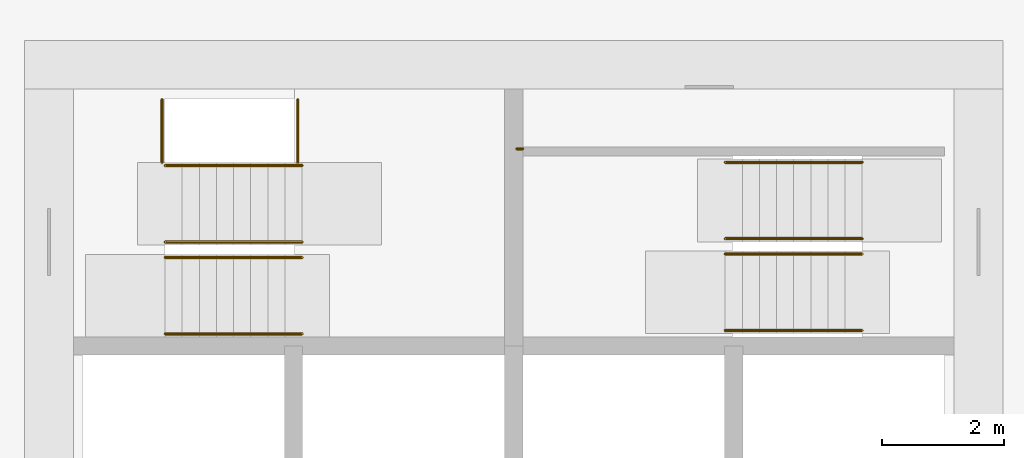
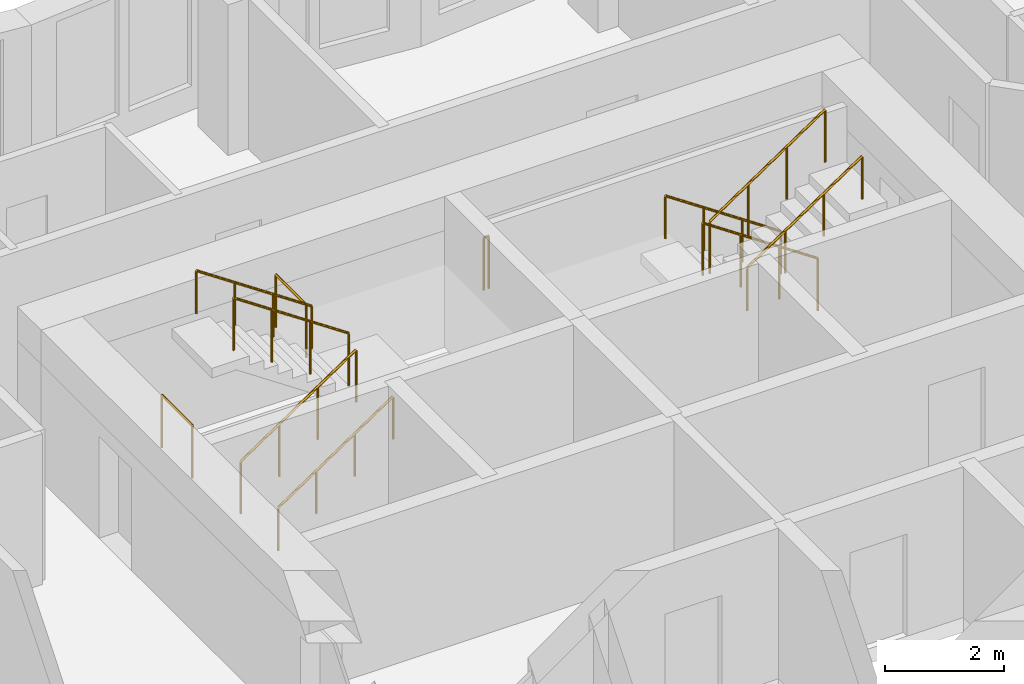
# One storey, part 11 of 12: 11 railings.
"""IFC4 building model written with IfcOpenShell, lengths in metres."""

import ifcopenshell
import ifcopenshell.guid

model = None  # the IFC model being written
_history = None  # IfcOwnerHistory: only IFC2X3 demands one
_inside = {}  # id of a spatial element -> (the spatial element, [elements in it])
_under = {}  # id of a project, library or spatial element -> (it, [spatial elements below it])
_declared = {}  # id of a project -> (the project, [libraries it declares])
_typed = {}  # id of a type object -> (the type object, [elements of that type])
_made_of = {}  # id of a material, layer set ... -> (it, [elements and type objects made of it])


def new_model(schema):
    """Start an empty IFC model of exactly this schema.

    Asked for "IFC4X3", IfcOpenShell would pick the latest addendum, in which some entities
    have other attributes; the version numbers below select the first issue.
    IFC2X3 requires an IfcOwnerHistory on every rooted entity: one is made here for all.
    """
    global model, _history
    if schema == "IFC4X3":
        model = ifcopenshell.file(schema_version=(4, 3, 0, 0))
    else:
        model = ifcopenshell.file(schema=schema)
    _inside.clear()
    _under.clear()
    _declared.clear()
    _typed.clear()
    _made_of.clear()
    _history = None
    if model.schema == "IFC2X3":
        org = make("IfcOrganization", Name="unknown")
        user = make(
            "IfcPersonAndOrganization",
            ThePerson=make("IfcPerson", FamilyName="unknown"),
            TheOrganization=org,
        )
        app = make(
            "IfcApplication",
            ApplicationDeveloper=org,
            Version="unknown",
            ApplicationFullName="unknown",
            ApplicationIdentifier="unknown",
        )
        _history = make(
            "IfcOwnerHistory",
            OwningUser=user,
            OwningApplication=app,
            ChangeAction="ADDED",
            CreationDate=0,
        )
    return model


def make(cls, **values):
    """One entity of the class cls with the attributes given. An attribute that is None is left unset."""
    return model.create_entity(
        cls, **{name: value for name, value in values.items() if value is not None}
    )


def rooted(cls, **values):
    """An entity with a GlobalId (a new one), such as an element, a storey or a relation."""
    return make(cls, GlobalId=ifcopenshell.guid.new(), OwnerHistory=_history, **values)


def si_unit(unit_type, name, prefix=None):
    """IfcSIUnit, for example si_unit("LENGTHUNIT", "METRE", prefix="MILLI")."""
    return make("IfcSIUnit", UnitType=unit_type, Prefix=prefix, Name=name)


def assignment(units):
    """IfcUnitAssignment: the units of a project."""
    return None if units is None else make("IfcUnitAssignment", Units=units)


def point(xyz):
    """IfcCartesianPoint."""
    return None if xyz is None else make("IfcCartesianPoint", Coordinates=xyz)


def direction(xyz):
    """IfcDirection."""
    return None if xyz is None else make("IfcDirection", DirectionRatios=xyz)


def frame(location, z_axis=None, x_axis=None):
    """IfcAxis2Placement3D, a coordinate frame: its origin and axes. An axis left out is left unset."""
    return make(
        "IfcAxis2Placement3D",
        Location=point(location),
        Axis=direction(z_axis),
        RefDirection=direction(x_axis),
    )


def frame_2d(location, x_axis=None):
    """IfcAxis2Placement2D, a coordinate frame in the plane: its origin and x axis."""
    return make(
        "IfcAxis2Placement2D", Location=point(location), RefDirection=direction(x_axis)
    )


def origin():
    """The frame at (0, 0, 0) with its axes left unset."""
    return frame((0.0, 0.0, 0.0))


def origin_2d():
    """The frame at (0, 0) in the plane with its x axis left unset."""
    return frame_2d((0.0, 0.0))


def place(relative_to, where):
    """IfcLocalPlacement: puts the frame where relative to a parent placement (None: the world)."""
    return make(
        "IfcLocalPlacement", PlacementRelTo=relative_to, RelativePlacement=where
    )


def context(
    kind, dimensions, precision=None, world=None, true_north=None, identifier=None
):
    """IfcGeometricRepresentationContext, for example the 3D "Model" context."""
    return make(
        "IfcGeometricRepresentationContext",
        ContextIdentifier=identifier,
        ContextType=kind,
        CoordinateSpaceDimension=dimensions,
        Precision=precision,
        WorldCoordinateSystem=world,
        TrueNorth=true_north,
    )


def subcontext(parent, identifier, kind, view, scale=None):
    """IfcGeometricRepresentationSubContext, for example "Body" below "Model"."""
    return make(
        "IfcGeometricRepresentationSubContext",
        ContextIdentifier=identifier,
        ContextType=kind,
        ParentContext=parent,
        TargetScale=scale,
        TargetView=view,
    )


def project(units=None, contexts=None):
    """IfcProject with its units and contexts."""
    return rooted(
        "IfcProject",
        Name="project",
        RepresentationContexts=contexts,
        UnitsInContext=assignment(units),
    )


def spatial(cls, under=None, at=None, **own):
    """A site, building, storey or space (cls), placed at a placement, below another one or the project."""
    s = rooted(cls, ObjectPlacement=at, **own)
    if under is not None:
        _under.setdefault(under.id(), (under, []))[1].append(s)
    return s


def profile(cls, at=None, kind="AREA", **sizes):
    """A parametric profile (cls). Its sizes go by their IFC names, for example OverallWidth=200.0."""
    return make(cls, ProfileType=kind, Position=at, **sizes)


def circle(**sizes):
    """IfcCircleProfileDef."""
    return profile("IfcCircleProfileDef", **sizes)


def extrude(swept, where, along, depth):
    """IfcExtrudedAreaSolid: the profile swept, set in the frame where, extruded along a direction by depth."""
    return make(
        "IfcExtrudedAreaSolid",
        SweptArea=swept,
        Position=where,
        ExtrudedDirection=direction(along),
        Depth=depth,
    )


def shape(context_of_items, identifier, shape_type, items):
    """IfcShapeRepresentation: the items that make up one representation, for example the "Body"."""
    return make(
        "IfcShapeRepresentation",
        ContextOfItems=context_of_items,
        RepresentationIdentifier=identifier,
        RepresentationType=shape_type,
        Items=items,
    )


def material(Name=None, Category=None):
    """IfcMaterial."""
    return make("IfcMaterial", Name=Name, Category=Category)


def made_of(thing, what):
    """Note that an element or type object is made of a material, layer set ...; save() writes the relation."""
    if what is not None:
        _made_of.setdefault(what.id(), (what, []))[1].append(thing)
    return thing


def type_object(cls, material=None, **own):
    """A type object (cls), such as IfcWallType, which elements share."""
    return made_of(rooted(cls, **own), material)


def element(
    cls,
    number,
    at=None,
    inside=None,
    cuts=None,
    type_object=None,
    material=None,
    context=None,
    identifier="Body",
    shape_type=None,
    held_by="IfcProductDefinitionShape",
    body=None,
    shapes=None,
    **own,
):
    """One element of the class cls, such as IfcWall. Its Tag is "e" and its number.

    at: its placement. inside: the storey or other place that contains it. cuts: it is an
    opening in that element (IfcRelVoidsElement). A single representation is given by context,
    identifier, shape_type and body (its items); several are given by shapes. held_by: the class
    of the entity that holds the representations. save() writes the other relations.
    """
    e = rooted(cls, Tag="e%d" % number, ObjectPlacement=at, **own)
    if body is not None:
        shapes = [shape(context, identifier, shape_type, body)]
    if shapes is not None:
        e.Representation = make(held_by, Representations=shapes)
    if inside is not None:
        _inside.setdefault(inside.id(), (inside, []))[1].append(e)
    if cuts is not None:
        rooted(
            "IfcRelVoidsElement", RelatingBuildingElement=cuts, RelatedOpeningElement=e
        )
    if type_object is not None:
        _typed.setdefault(type_object.id(), (type_object, []))[1].append(e)
    return made_of(e, material)


def aggregate(whole, parts):
    """IfcRelAggregates: a whole, such as a stair, and the parts it consists of."""
    return rooted("IfcRelAggregates", RelatingObject=whole, RelatedObjects=parts)


def save(model, path):
    """Write the relations noted so far, then the file.

    IfcRelAggregates (storeys below a building ...), IfcRelContainedInSpatialStructure (elements
    in a storey), IfcRelDefinesByType, IfcRelAssociatesMaterial and IfcRelDeclares: one each for
    every whole, place, type object, material and project.
    """
    for whole, parts in _under.values():
        aggregate(whole, parts)
    for where, things in _inside.values():
        rooted(
            "IfcRelContainedInSpatialStructure",
            RelatedElements=things,
            RelatingStructure=where,
        )
    for kind, things in _typed.values():
        rooted("IfcRelDefinesByType", RelatedObjects=things, RelatingType=kind)
    for what, things in _made_of.values():
        rooted("IfcRelAssociatesMaterial", RelatedObjects=things, RelatingMaterial=what)
    for by, libraries in _declared.values():
        rooted("IfcRelDeclares", RelatingContext=by, RelatedDefinitions=libraries)
    model.write(path)


model = new_model("IFC4")

# Units and contexts
model_context = context("Model", 3, precision=1e-05, world=origin(), true_north=direction((0.0, 1.0)))
body_context = subcontext(model_context, "Body", "Model", "MODEL_VIEW")
ifc_project = project(units=[si_unit("LENGTHUNIT", "METRE"), si_unit("AREAUNIT", "SQUARE_METRE"), si_unit("VOLUMEUNIT", "CUBIC_METRE"), si_unit("PLANEANGLEUNIT", "RADIAN"), si_unit("MASSUNIT", "GRAM", prefix="KILO")], contexts=[model_context])

# Site, building, storey
site_placement = place(None, origin())
site = spatial("IfcSite", under=ifc_project, at=site_placement, CompositionType="ELEMENT")
building_placement = place(site_placement, origin())
building = spatial("IfcBuilding", under=site, at=building_placement, Name="Windrow Commons", CompositionType="ELEMENT")
storey_placement = place(building_placement, frame((0.0, 0.0, 88.0)))
storey = spatial("IfcBuildingStorey", under=building, at=storey_placement, Name="L23", CompositionType="ELEMENT", Elevation=88.0)

# Railings
ifc_material_1 = material(Name="Steel S355", Category="steel")
railing_type_1 = type_object("IfcRailingType", Name="Core stair guard 1100", PredefinedType="GUARDRAIL", material=ifc_material_1)
railing_1_placement = place(storey_placement, frame((59.1, 62.05, 0.1889)))
element("IfcRailing", 1, at=railing_1_placement, inside=storey, type_object=railing_type_1, Name="L23 ST-A1 stair guard 1", PredefinedType="GUARDRAIL", context=body_context, shape_type="SweptSolid", body=[
    extrude(circle(Radius=0.024, at=origin_2d()), frame((0.0, 0.0, 1.076), z_axis=(0.8290030985, 0.0, 0.5592440099), x_axis=(0.0, 1.0, 0.0)), (0.0, 0.0, 1.0), 2.702),
    extrude(circle(Radius=0.021, at=origin_2d()), origin(), (0.0, 0.0, 1.0), 1.052),
    extrude(circle(Radius=0.021, at=origin_2d()), frame((0.7467, 0.0, 0.5037)), (0.0, 0.0, 1.0), 1.052),
    extrude(circle(Radius=0.021, at=origin_2d()), frame((1.4933, 0.0, 1.0074)), (0.0, 0.0, 1.0), 1.052),
    extrude(circle(Radius=0.021, at=origin_2d()), frame((2.24, 0.0, 1.5111)), (0.0, 0.0, 1.0), 1.052),
])
railing_2_placement = place(storey_placement, frame((61.34, 62.3, 1.8889)))
element("IfcRailing", 2, at=railing_2_placement, inside=storey, type_object=railing_type_1, Name="L23 ST-A1 stair guard 2", PredefinedType="GUARDRAIL", context=body_context, shape_type="SweptSolid", body=[
    extrude(circle(Radius=0.024, at=origin_2d()), frame((0.0, 0.0, 1.076), z_axis=(-0.8290030985, 0.0, 0.5592440099), x_axis=(0.0, -1.0, 0.0)), (0.0, 0.0, 1.0), 2.702),
    extrude(circle(Radius=0.021, at=origin_2d()), origin(), (0.0, 0.0, 1.0), 1.052),
    extrude(circle(Radius=0.021, at=origin_2d()), frame((-0.7467, 0.0, 0.5037)), (0.0, 0.0, 1.0), 1.052),
    extrude(circle(Radius=0.021, at=origin_2d()), frame((-1.4933, 0.0, 1.0074)), (0.0, 0.0, 1.0), 1.052),
    extrude(circle(Radius=0.021, at=origin_2d()), frame((-2.24, 0.0, 1.5111)), (0.0, 0.0, 1.0), 1.052),
])
for number, where, name in (
    (3, (59.05, 63.6, 0.0), "L23 ST-A1 stair guard 3"),
    (4, (61.27, 63.6, 1.7), "L23 ST-A1 stair guard 4"),
):
    element("IfcRailing", number, at=place(storey_placement, frame(where)), inside=storey, type_object=railing_type_1, Name=name, PredefinedType="GUARDRAIL", context=body_context, shape_type="SweptSolid", body=[
        extrude(circle(Radius=0.024, at=origin_2d()), frame((0.0, 0.0, 1.076), z_axis=(0.0, 1.0, 0.0), x_axis=(-1.0, 0.0, 0.0)), (0.0, 0.0, 1.0), 1.03),
        extrude(circle(Radius=0.021, at=origin_2d()), origin(), (0.0, 0.0, 1.0), 1.052),
        extrude(circle(Radius=0.021, at=origin_2d()), frame((0.0, 1.03, 0.0)), (0.0, 0.0, 1.0), 1.052),
    ])
railing_3_placement = place(storey_placement, frame((70.5, 62.355, 0.1889)))
element("IfcRailing", 5, at=railing_3_placement, inside=storey, type_object=railing_type_1, Name="L23 ST-A2 stair guard 1", PredefinedType="GUARDRAIL", context=body_context, shape_type="SweptSolid", body=[
    extrude(circle(Radius=0.024, at=origin_2d()), frame((0.0, 0.0, 1.076), z_axis=(-0.8290030985, 0.0, 0.5592440099), x_axis=(0.0, -1.0, 0.0)), (0.0, 0.0, 1.0), 2.702),
    extrude(circle(Radius=0.021, at=origin_2d()), origin(), (0.0, 0.0, 1.0), 1.052),
    extrude(circle(Radius=0.021, at=origin_2d()), frame((-0.7467, 0.0, 0.5037)), (0.0, 0.0, 1.0), 1.052),
    extrude(circle(Radius=0.021, at=origin_2d()), frame((-1.4933, 0.0, 1.0074)), (0.0, 0.0, 1.0), 1.052),
    extrude(circle(Radius=0.021, at=origin_2d()), frame((-2.24, 0.0, 1.5111)), (0.0, 0.0, 1.0), 1.052),
])
railing_4_placement = place(storey_placement, frame((68.26, 62.105, 1.8889)))
element("IfcRailing", 6, at=railing_4_placement, inside=storey, type_object=railing_type_1, Name="L23 ST-A2 stair guard 2", PredefinedType="GUARDRAIL", context=body_context, shape_type="SweptSolid", body=[
    extrude(circle(Radius=0.024, at=origin_2d()), frame((0.0, 0.0, 1.076), z_axis=(0.8290030985, 0.0, 0.5592440099), x_axis=(0.0, 1.0, 0.0)), (0.0, 0.0, 1.0), 2.702),
    extrude(circle(Radius=0.021, at=origin_2d()), origin(), (0.0, 0.0, 1.0), 1.052),
    extrude(circle(Radius=0.021, at=origin_2d()), frame((0.7467, 0.0, 0.5037)), (0.0, 0.0, 1.0), 1.052),
    extrude(circle(Radius=0.021, at=origin_2d()), frame((1.4933, 0.0, 1.0074)), (0.0, 0.0, 1.0), 1.052),
    extrude(circle(Radius=0.021, at=origin_2d()), frame((2.24, 0.0, 1.5111)), (0.0, 0.0, 1.0), 1.052),
])
railing_5_placement = place(storey_placement, frame((64.95, 63.825, 1.7)))
element("IfcRailing", 7, at=railing_5_placement, inside=storey, type_object=railing_type_1, Name="L23 ST-A2 stair guard 3", PredefinedType="GUARDRAIL", context=body_context, shape_type="SweptSolid", body=[
    extrude(circle(Radius=0.024, at=origin_2d()), frame((0.0, 0.0, 1.076), z_axis=(-1.0, 0.0, 0.0), x_axis=(0.0, -1.0, 0.0)), (0.0, 0.0, 1.0), 0.1),
    extrude(circle(Radius=0.021, at=origin_2d()), origin(), (0.0, 0.0, 1.0), 1.052),
    extrude(circle(Radius=0.021, at=origin_2d()), frame((-0.1, 0.0, 0.0)), (0.0, 0.0, 1.0), 1.052),
])
ifc_material_2 = material(Name="Steel S355", Category="steel")
railing_type_2 = type_object("IfcRailingType", Name="Core stair handrail 900", PredefinedType="HANDRAIL", material=ifc_material_2)
railing_6_placement = place(storey_placement, frame((59.1, 60.8, 0.1889)))
element("IfcRailing", 8, at=railing_6_placement, inside=storey, type_object=railing_type_2, Name="L23 ST-A1 stair handrail 1", PredefinedType="HANDRAIL", context=body_context, shape_type="SweptSolid", body=[
    extrude(circle(Radius=0.024, at=origin_2d()), frame((0.0, 0.0, 0.876), z_axis=(0.8290030985, 0.0, 0.5592440099), x_axis=(0.0, 1.0, 0.0)), (0.0, 0.0, 1.0), 2.702),
    extrude(circle(Radius=0.021, at=origin_2d()), origin(), (0.0, 0.0, 1.0), 0.852),
    extrude(circle(Radius=0.021, at=origin_2d()), frame((0.7467, 0.0, 0.5037)), (0.0, 0.0, 1.0), 0.852),
    extrude(circle(Radius=0.021, at=origin_2d()), frame((1.4933, 0.0, 1.0074)), (0.0, 0.0, 1.0), 0.852),
    extrude(circle(Radius=0.021, at=origin_2d()), frame((2.24, 0.0, 1.5111)), (0.0, 0.0, 1.0), 0.852),
])
for number, where, name in (
    (9, (61.34, 63.55, 1.8889), "L23 ST-A1 stair handrail 2"),
    (10, (70.5, 63.605, 0.1889), "L23 ST-A2 stair handrail 1"),
):
    element("IfcRailing", number, at=place(storey_placement, frame(where)), inside=storey, type_object=railing_type_2, Name=name, PredefinedType="HANDRAIL", context=body_context, shape_type="SweptSolid", body=[
        extrude(circle(Radius=0.024, at=origin_2d()), frame((0.0, 0.0, 0.876), z_axis=(-0.8290030985, 0.0, 0.5592440099), x_axis=(0.0, -1.0, 0.0)), (0.0, 0.0, 1.0), 2.702),
        extrude(circle(Radius=0.021, at=origin_2d()), origin(), (0.0, 0.0, 1.0), 0.852),
        extrude(circle(Radius=0.021, at=origin_2d()), frame((-0.7467, 0.0, 0.5037)), (0.0, 0.0, 1.0), 0.852),
        extrude(circle(Radius=0.021, at=origin_2d()), frame((-1.4933, 0.0, 1.0074)), (0.0, 0.0, 1.0), 0.852),
        extrude(circle(Radius=0.021, at=origin_2d()), frame((-2.24, 0.0, 1.5111)), (0.0, 0.0, 1.0), 0.852),
    ])
railing_7_placement = place(storey_placement, frame((68.26, 60.855, 1.8889)))
element("IfcRailing", 11, at=railing_7_placement, inside=storey, type_object=railing_type_2, Name="L23 ST-A2 stair handrail 2", PredefinedType="HANDRAIL", context=body_context, shape_type="SweptSolid", body=[
    extrude(circle(Radius=0.024, at=origin_2d()), frame((0.0, 0.0, 0.876), z_axis=(0.8290030985, 0.0, 0.5592440099), x_axis=(0.0, 1.0, 0.0)), (0.0, 0.0, 1.0), 2.702),
    extrude(circle(Radius=0.021, at=origin_2d()), origin(), (0.0, 0.0, 1.0), 0.852),
    extrude(circle(Radius=0.021, at=origin_2d()), frame((0.7467, 0.0, 0.5037)), (0.0, 0.0, 1.0), 0.852),
    extrude(circle(Radius=0.021, at=origin_2d()), frame((1.4933, 0.0, 1.0074)), (0.0, 0.0, 1.0), 0.852),
    extrude(circle(Radius=0.021, at=origin_2d()), frame((2.24, 0.0, 1.5111)), (0.0, 0.0, 1.0), 0.852),
])

save(model, "model.ifc")
